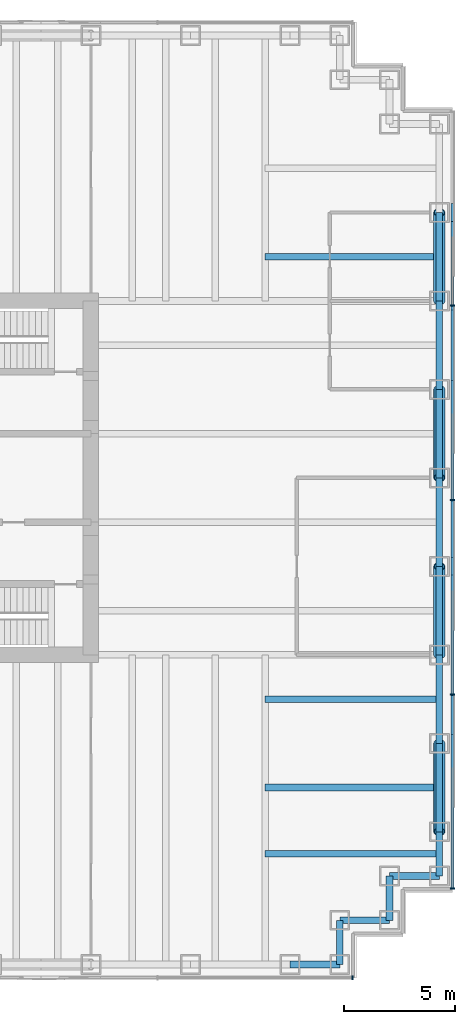
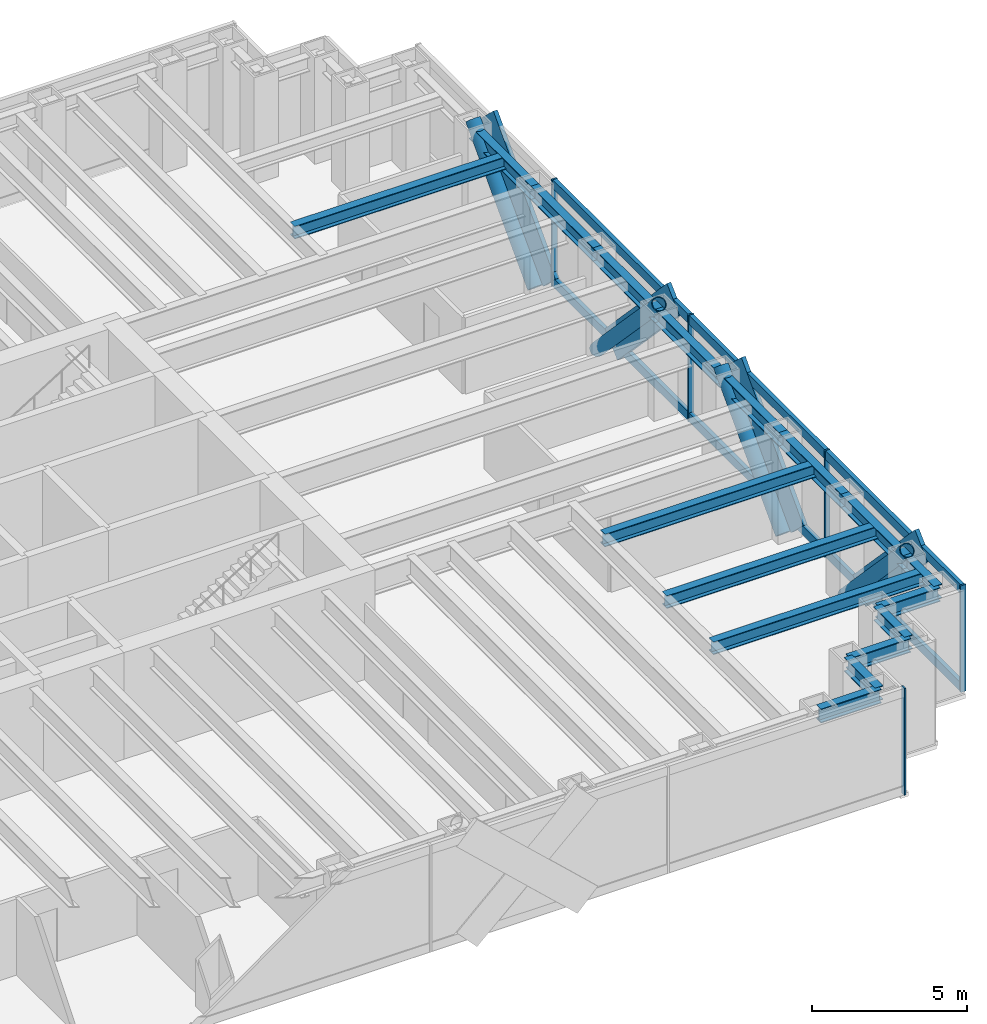
# One storey, part 8 of 17: 19 members, 17 beams, 2 elements without a shape of their own.
"""IFC4 building model written with IfcOpenShell, lengths in metres."""

from ifc_helpers import new_model, si_unit, direction, frame, origin, origin_2d, place, context, subcontext, project, spatial, rectangle, hollow_circle, i_section, extrude, material, material_profile, profile_set, type_object, element, aggregate, save


model = new_model("IFC4")

# Units and contexts
model_context = context("Model", 3, precision=1e-05, world=origin(), true_north=direction((0.0, 1.0)))
body_context = subcontext(model_context, "Body", "Model", "MODEL_VIEW")
ifc_project = project(units=[si_unit("LENGTHUNIT", "METRE"), si_unit("AREAUNIT", "SQUARE_METRE"), si_unit("VOLUMEUNIT", "CUBIC_METRE"), si_unit("PLANEANGLEUNIT", "RADIAN"), si_unit("MASSUNIT", "GRAM", prefix="KILO")], contexts=[model_context])

# Site, building, storey
site_placement = place(None, origin())
site = spatial("IfcSite", under=ifc_project, at=site_placement, CompositionType="ELEMENT")
building_placement = place(site_placement, origin())
building = spatial("IfcBuilding", under=site, at=building_placement, Name="Rheinbord Bourse Tower", CompositionType="ELEMENT")
storey_placement = place(building_placement, frame((0.0, 0.0, 287.89990234375)))
storey = spatial("IfcBuildingStorey", under=building, at=storey_placement, Name="L65", CompositionType="ELEMENT", Elevation=287.89990234375)

# Curtain wall, members
ifc_material_1 = material(Name="Dark glass and black aluminium", Category="aluminium")
curtain_wall_type = type_object("IfcCurtainWallType", Name="CW3 DARK GLASS CURTAIN WALL", PredefinedType="USERDEFINED", material=ifc_material_1)
curtain_wall_1_placement = place(storey_placement, origin())
curtain_wall_1 = element("IfcCurtainWall", 1, at=curtain_wall_1_placement, inside=storey, type_object=curtain_wall_type, Name="Curtain wall CW3 E L65", ObjectType="UNITISED CURTAIN WALL", PredefinedType="USERDEFINED")
ifc_material_2 = material(Name="Black anodised aluminium", Category="aluminium")
ifc_material_profile_1 = material_profile(ifc_material_2, rectangle(XDim=0.14990234375, YDim=1.10791015625, at=origin_2d()), Name="CW3 DIAGONAL MULLION 1108x150")
ifc_profile_set_1 = profile_set([ifc_material_profile_1], Name="Black anodised aluminium")
member_type_1 = type_object("IfcMemberType", Name="CW3 BLACK DIAGONAL MULLION", PredefinedType="USERDEFINED", material=ifc_profile_set_1)
member_1_placement = place(storey_placement, frame((70.35009765625, 28.0, 0.0), z_axis=(0.0, -0.689638355374, 0.72415394689), x_axis=(1.0, 0.0, 0.0)))
member_1 = element("IfcMember", 2, at=member_1_placement, type_object=member_type_1, Name="CW3 diagonal mullion a", ObjectType="DIAGONAL MULLION", PredefinedType="USERDEFINED", context=body_context, shape_type="SweptSolid", body=[
    extrude(rectangle(XDim=0.14990234375, YDim=1.10791015625, at=origin_2d()), origin(), (0.0, 0.0, 1.0), 5.800048828125),
])
member_2_placement = place(storey_placement, frame((70.35009765625, 16.0, 0.0), z_axis=(0.0, 0.689638355374, 0.72415394689), x_axis=(-1.0, 0.0, 0.0)))
member_2 = element("IfcMember", 3, at=member_2_placement, type_object=member_type_1, Name="CW3 diagonal mullion b", ObjectType="DIAGONAL MULLION", PredefinedType="USERDEFINED", context=body_context, shape_type="SweptSolid", body=[
    extrude(rectangle(XDim=0.14990234375, YDim=1.10791015625, at=origin_2d()), origin(), (0.0, 0.0, 1.0), 5.800048828125),
])
member_3_placement = place(storey_placement, frame((70.35009765625, 12.0, 0.0), z_axis=(0.0, -0.689638355374, 0.72415394689), x_axis=(1.0, 0.0, 0.0)))
member_3 = element("IfcMember", 4, at=member_3_placement, type_object=member_type_1, Name="CW3 diagonal mullion c", ObjectType="DIAGONAL MULLION", PredefinedType="USERDEFINED", context=body_context, shape_type="SweptSolid", body=[
    extrude(rectangle(XDim=0.14990234375, YDim=1.10791015625, at=origin_2d()), origin(), (0.0, 0.0, 1.0), 5.800048828125),
])
member_4_placement = place(storey_placement, frame((70.35009765625, 32.0, 0.0), z_axis=(0.0, 0.689638355374, 0.72415394689), x_axis=(-1.0, 0.0, 0.0)))
member_4 = element("IfcMember", 5, at=member_4_placement, type_object=member_type_1, Name="CW3 diagonal mullion d", ObjectType="DIAGONAL MULLION", PredefinedType="USERDEFINED", context=body_context, shape_type="SweptSolid", body=[
    extrude(rectangle(XDim=0.14990234375, YDim=1.10791015625, at=origin_2d()), origin(), (0.0, 0.0, 1.0), 5.800048828125),
])

# Curtain wall, member
curtain_wall_2_placement = place(storey_placement, origin())
curtain_wall_2 = element("IfcCurtainWall", 6, at=curtain_wall_2_placement, inside=storey, type_object=curtain_wall_type, Name="Curtain wall CW3 S L65", ObjectType="UNITISED CURTAIN WALL", PredefinedType="USERDEFINED")
ifc_material_3 = material(Name="Black anodised aluminium", Category="aluminium")
ifc_material_profile_2 = material_profile(ifc_material_3, rectangle(XDim=0.199951171875, YDim=0.06494140625, at=origin_2d()), Name="CW3 MULLION 65x200")
ifc_profile_set_2 = profile_set([ifc_material_profile_2], Name="Black anodised aluminium")
member_type_2 = type_object("IfcMemberType", Name="CW3 BLACK MULLION", PredefinedType="MULLION", material=ifc_profile_set_2)
member_5_placement = place(storey_placement, frame((65.8173828125, 1.39990234375, 0.0), z_axis=(0.0, 0.0, 1.0), x_axis=(0.0, 1.0, 0.0)))
member_5 = element("IfcMember", 7, at=member_5_placement, type_object=member_type_2, Name="CW3 mullion 8", PredefinedType="MULLION", context=body_context, shape_type="SweptSolid", body=[
    extrude(rectangle(XDim=0.199951171875, YDim=0.06494140625, at=origin_2d()), origin(), (0.0, 0.0, 1.0), 4.2001953125),
])
aggregate(curtain_wall_2, [member_5])

# Member
member_6_placement = place(storey_placement, frame((70.35009765625, 5.4326171875, 0.0), z_axis=(0.0, 0.0, 1.0), x_axis=(-1.0, 0.0, 0.0)))
member_6 = element("IfcMember", 8, at=member_6_placement, type_object=member_type_2, Name="CW3 mullion 1", PredefinedType="MULLION", context=body_context, shape_type="SweptSolid", body=[
    extrude(rectangle(XDim=0.199951171875, YDim=0.06494140625, at=origin_2d()), origin(), (0.0, 0.0, 1.0), 4.2001953125),
])

member_7_placement = place(storey_placement, frame((70.35009765625, 14.199951171875, 0.0), z_axis=(0.0, 0.0, 1.0), x_axis=(-1.0, 0.0, 0.0)))
member_7 = element("IfcMember", 9, at=member_7_placement, type_object=member_type_2, Name="CW3 mullion 2", PredefinedType="MULLION", context=body_context, shape_type="SweptSolid", body=[
    extrude(rectangle(XDim=0.199951171875, YDim=0.06494140625, at=origin_2d()), origin(), (0.0, 0.0, 1.0), 4.2001953125),
])

member_8_placement = place(storey_placement, frame((70.35009765625, 23.0, 0.0), z_axis=(0.0, 0.0, 1.0), x_axis=(-1.0, 0.0, 0.0)))
member_8 = element("IfcMember", 10, at=member_8_placement, type_object=member_type_2, Name="CW3 mullion 3", PredefinedType="MULLION", context=body_context, shape_type="SweptSolid", body=[
    extrude(rectangle(XDim=0.199951171875, YDim=0.06494140625, at=origin_2d()), origin(), (0.0, 0.0, 1.0), 4.2001953125),
])

member_9_placement = place(storey_placement, frame((70.35009765625, 31.800048828125, 0.0), z_axis=(0.0, 0.0, 1.0), x_axis=(-1.0, 0.0, 0.0)))
member_9 = element("IfcMember", 11, at=member_9_placement, type_object=member_type_2, Name="CW3 mullion 4", PredefinedType="MULLION", context=body_context, shape_type="SweptSolid", body=[
    extrude(rectangle(XDim=0.199951171875, YDim=0.06494140625, at=origin_2d()), origin(), (0.0, 0.0, 1.0), 4.2001953125),
])

ifc_material_4 = material(Name="Black anodised aluminium", Category="aluminium")
ifc_material_profile_3 = material_profile(ifc_material_4, rectangle(XDim=0.14990234375, YDim=0.35009765625, at=origin_2d()), Name="CW3 TRANSOM 350x150")
ifc_profile_set_3 = profile_set([ifc_material_profile_3], Name="Black anodised aluminium")
member_type_3 = type_object("IfcMemberType", Name="CW3 BLACK TRANSOM", PredefinedType="USERDEFINED", material=ifc_profile_set_3)
member_10_placement = place(storey_placement, frame((70.35009765625, 5.465087890625, 0.175048828125), z_axis=(0.0, 1.0, 0.0), x_axis=(-1.0, 0.0, 0.0)))
member_10 = element("IfcMember", 12, at=member_10_placement, type_object=member_type_3, Name="CW3 transom 1.1", ObjectType="TRANSOM", PredefinedType="USERDEFINED", context=body_context, shape_type="SweptSolid", body=[
    extrude(rectangle(XDim=0.14990234375, YDim=0.35009765625, at=origin_2d()), origin(), (0.0, 0.0, 1.0), 8.702392578125),
])

member_11_placement = place(storey_placement, frame((70.35009765625, 5.465087890625, 4.025146484375), z_axis=(0.0, 1.0, 0.0), x_axis=(-1.0, 0.0, 0.0)))
member_11 = element("IfcMember", 13, at=member_11_placement, type_object=member_type_3, Name="CW3 transom 1.2", ObjectType="TRANSOM", PredefinedType="USERDEFINED", context=body_context, shape_type="SweptSolid", body=[
    extrude(rectangle(XDim=0.14990234375, YDim=0.35009765625, at=origin_2d()), origin(), (0.0, 0.0, 1.0), 8.702392578125),
])

member_12_placement = place(storey_placement, frame((70.35009765625, 14.232421875, 0.175048828125), z_axis=(0.0, 1.0, 0.0), x_axis=(-1.0, 0.0, 0.0)))
member_12 = element("IfcMember", 14, at=member_12_placement, type_object=member_type_3, Name="CW3 transom 2.1", ObjectType="TRANSOM", PredefinedType="USERDEFINED", context=body_context, shape_type="SweptSolid", body=[
    extrude(rectangle(XDim=0.14990234375, YDim=0.35009765625, at=origin_2d()), origin(), (0.0, 0.0, 1.0), 8.735107421875),
])

member_13_placement = place(storey_placement, frame((70.35009765625, 14.232421875, 4.025146484375), z_axis=(0.0, 1.0, 0.0), x_axis=(-1.0, 0.0, 0.0)))
member_13 = element("IfcMember", 15, at=member_13_placement, type_object=member_type_3, Name="CW3 transom 2.2", ObjectType="TRANSOM", PredefinedType="USERDEFINED", context=body_context, shape_type="SweptSolid", body=[
    extrude(rectangle(XDim=0.14990234375, YDim=0.35009765625, at=origin_2d()), origin(), (0.0, 0.0, 1.0), 8.735107421875),
])

member_14_placement = place(storey_placement, frame((70.35009765625, 23.032470703125, 0.175048828125), z_axis=(0.0, 1.0, 0.0), x_axis=(-1.0, 0.0, 0.0)))
member_14 = element("IfcMember", 16, at=member_14_placement, type_object=member_type_3, Name="CW3 transom 3.1", ObjectType="TRANSOM", PredefinedType="USERDEFINED", context=body_context, shape_type="SweptSolid", body=[
    extrude(rectangle(XDim=0.14990234375, YDim=0.35009765625, at=origin_2d()), origin(), (0.0, 0.0, 1.0), 8.735107421875),
])

member_15_placement = place(storey_placement, frame((70.35009765625, 23.032470703125, 4.025146484375), z_axis=(0.0, 1.0, 0.0), x_axis=(-1.0, 0.0, 0.0)))
member_15 = element("IfcMember", 17, at=member_15_placement, type_object=member_type_3, Name="CW3 transom 3.2", ObjectType="TRANSOM", PredefinedType="USERDEFINED", context=body_context, shape_type="SweptSolid", body=[
    extrude(rectangle(XDim=0.14990234375, YDim=0.35009765625, at=origin_2d()), origin(), (0.0, 0.0, 1.0), 8.735107421875),
])

aggregate(curtain_wall_1, [member_6, member_7, member_8, member_9, member_10, member_11, member_12, member_13, member_14, member_15, member_1, member_2, member_3, member_4])

# Members
ifc_material_5 = material(Name="Steel S460", Category="steel")
ifc_material_profile_4 = material_profile(ifc_material_5, hollow_circle(Radius=0.25390625, WallThickness=0.030029296875, at=origin_2d()), Name="CHS 508x30")
ifc_profile_set_4 = profile_set([ifc_material_profile_4], Name="Steel S460")
member_type_4 = type_object("IfcMemberType", Name="MEGABRACE CHS 508x30", PredefinedType="BRACE", material=ifc_profile_set_4)
for number, where, z_axis, x_axis, name in (
    (18, (69.75, 28.0, 0.0), (0.0, -0.689638355374, 0.72415394689), (1.0, 0.0, 0.0), "Megabrace E face line a L65"),
    (19, (69.75, 16.0, 0.0), (0.0, 0.689638355374, 0.72415394689), (-1.0, 0.0, 0.0), "Megabrace E face line b L65"),
    (20, (69.75, 12.0, 0.0), (0.0, -0.689638355374, 0.72415394689), (1.0, 0.0, 0.0), "Megabrace E face line c L65"),
    (21, (69.75, 32.0, 0.0), (0.0, 0.689638355374, 0.72415394689), (-1.0, 0.0, 0.0), "Megabrace E face line d L65"),
):
    element("IfcMember", number, at=place(storey_placement, frame(where, z_axis=z_axis, x_axis=x_axis)), inside=storey, type_object=member_type_4, Name=name, PredefinedType="BRACE", context=body_context, shape_type="SweptSolid", body=[
        extrude(hollow_circle(Radius=0.25390625, WallThickness=0.030029296875, at=origin_2d()), origin(), (0.0, 0.0, 1.0), 5.800048828125),
    ])

# Beams
ifc_material_6 = material(Name="Steel S460", Category="steel")
ifc_material_profile_5 = material_profile(ifc_material_6, i_section(OverallWidth=0.300048828125, OverallDepth=0.550048828125, WebThickness=0.014892578125, FlangeThickness=0.029052734375, at=origin_2d()), Name="HEB 550")
ifc_profile_set_5 = profile_set([ifc_material_profile_5], Name="Steel S460")
beam_type_1 = type_object("IfcBeamType", Name="SPANDREL HEB 550", PredefinedType="SPANDREL", material=ifc_profile_set_5)
beam_1_placement = place(storey_placement, frame((63.0, 2.0, 3.76513671875), z_axis=(1.0, 0.0, 0.0), x_axis=(0.0, 1.0, 0.0)))
element("IfcBeam", 22, at=beam_1_placement, inside=storey, type_object=beam_type_1, Name="Spandrel S-63-SE-E under L66", PredefinedType="SPANDREL", context=body_context, shape_type="SweptSolid", body=[
    extrude(i_section(OverallWidth=0.300048828125, OverallDepth=0.550048828125, WebThickness=0.014892578125, FlangeThickness=0.029052734375, at=origin_2d()), origin(), (0.0, 0.0, 1.0), 2.25),
])
beam_2_placement = place(storey_placement, frame((65.25, 2.0, 3.76513671875), z_axis=(0.0, 1.0, 0.0), x_axis=(-1.0, 0.0, 0.0)))
element("IfcBeam", 23, at=beam_2_placement, inside=storey, type_object=beam_type_1, Name="Spandrel SE-E-SE-D under L66", PredefinedType="SPANDREL", context=body_context, shape_type="SweptSolid", body=[
    extrude(i_section(OverallWidth=0.300048828125, OverallDepth=0.550048828125, WebThickness=0.014892578125, FlangeThickness=0.029052734375, at=origin_2d()), origin(), (0.0, 0.0, 1.0), 2.0),
])
beam_3_placement = place(storey_placement, frame((65.25, 4.0, 3.76513671875), z_axis=(1.0, 0.0, 0.0), x_axis=(0.0, 1.0, 0.0)))
element("IfcBeam", 24, at=beam_3_placement, inside=storey, type_object=beam_type_1, Name="Spandrel SE-D-SE-C under L66", PredefinedType="SPANDREL", context=body_context, shape_type="SweptSolid", body=[
    extrude(i_section(OverallWidth=0.300048828125, OverallDepth=0.550048828125, WebThickness=0.014892578125, FlangeThickness=0.029052734375, at=origin_2d()), origin(), (0.0, 0.0, 1.0), 2.25),
])
beam_4_placement = place(storey_placement, frame((67.5, 4.0, 3.76513671875), z_axis=(0.0, 1.0, 0.0), x_axis=(-1.0, 0.0, 0.0)))
element("IfcBeam", 25, at=beam_4_placement, inside=storey, type_object=beam_type_1, Name="Spandrel SE-C-SE-B under L66", PredefinedType="SPANDREL", context=body_context, shape_type="SweptSolid", body=[
    extrude(i_section(OverallWidth=0.300048828125, OverallDepth=0.550048828125, WebThickness=0.014892578125, FlangeThickness=0.029052734375, at=origin_2d()), origin(), (0.0, 0.0, 1.0), 2.0),
])
beam_5_placement = place(storey_placement, frame((67.5, 6.0, 3.76513671875), z_axis=(1.0, 0.0, 0.0), x_axis=(0.0, 1.0, 0.0)))
element("IfcBeam", 26, at=beam_5_placement, inside=storey, type_object=beam_type_1, Name="Spandrel SE-B-SE-A under L66", PredefinedType="SPANDREL", context=body_context, shape_type="SweptSolid", body=[
    extrude(i_section(OverallWidth=0.300048828125, OverallDepth=0.550048828125, WebThickness=0.014892578125, FlangeThickness=0.029052734375, at=origin_2d()), origin(), (0.0, 0.0, 1.0), 2.25),
])
beam_6_placement = place(storey_placement, frame((69.75, 6.0, 3.76513671875), z_axis=(0.0, 1.0, 0.0), x_axis=(-1.0, 0.0, 0.0)))
element("IfcBeam", 27, at=beam_6_placement, inside=storey, type_object=beam_type_1, Name="Spandrel SE-A-E-8 under L66", PredefinedType="SPANDREL", context=body_context, shape_type="SweptSolid", body=[
    extrude(i_section(OverallWidth=0.300048828125, OverallDepth=0.550048828125, WebThickness=0.014892578125, FlangeThickness=0.029052734375, at=origin_2d()), origin(), (0.0, 0.0, 1.0), 2.0),
])
for number, where, z_axis, x_axis, name in (
    (28, (69.75, 8.0, 3.76513671875), (0.0, 1.0, 0.0), (-1.0, 0.0, 0.0), "Spandrel E-8-E-12 under L66"),
    (29, (69.75, 12.0, 3.76513671875), (0.0, 1.0, 0.0), (-1.0, 0.0, 0.0), "Spandrel E-12-E-16 under L66"),
    (30, (69.75, 16.0, 3.76513671875), (0.0, 1.0, 0.0), (-1.0, 0.0, 0.0), "Spandrel E-16-E-20 under L66"),
    (31, (69.75, 20.0, 3.76513671875), (0.0, 1.0, 0.0), (-1.0, 0.0, 0.0), "Spandrel E-20-E-24 under L66"),
    (32, (69.75, 24.0, 3.76513671875), (0.0, 1.0, 0.0), (-1.0, 0.0, 0.0), "Spandrel E-24-E-28 under L66"),
    (33, (69.75, 28.0, 3.76513671875), (0.0, 1.0, 0.0), (-1.0, 0.0, 0.0), "Spandrel E-28-E-32 under L66"),
    (34, (69.75, 32.0, 3.76513671875), (0.0, 1.0, 0.0), (-1.0, 0.0, 0.0), "Spandrel E-32-E-36 under L66"),
):
    element("IfcBeam", number, at=place(storey_placement, frame(where, z_axis=z_axis, x_axis=x_axis)), inside=storey, type_object=beam_type_1, Name=name, PredefinedType="SPANDREL", context=body_context, shape_type="SweptSolid", body=[
        extrude(i_section(OverallWidth=0.300048828125, OverallDepth=0.550048828125, WebThickness=0.014892578125, FlangeThickness=0.029052734375, at=origin_2d()), origin(), (0.0, 0.0, 1.0), 4.0),
    ])
ifc_material_7 = material(Name="Steel S460", Category="steel")
ifc_material_profile_6 = material_profile(ifc_material_7, i_section(OverallWidth=0.300048828125, OverallDepth=0.5, WebThickness=0.014404296875, FlangeThickness=0.028076171875, at=origin_2d()), Name="HEB 500")
ifc_profile_set_6 = profile_set([ifc_material_profile_6], Name="Steel S460")
beam_type_2 = type_object("IfcBeamType", Name="TIE BEAM HEB 500", PredefinedType="JOIST", material=ifc_profile_set_6)
for number, where, z_axis, x_axis, name in (
    (35, (61.875, 7.0, 3.7900390625), (1.0, 0.0, 0.0), (0.0, 1.0, 0.0), "Tie east 7 L66"),
    (36, (61.875, 10.0, 3.7900390625), (1.0, 0.0, 0.0), (0.0, 1.0, 0.0), "Tie east 10 L66"),
    (37, (61.875, 14.0, 3.7900390625), (1.0, 0.0, 0.0), (0.0, 1.0, 0.0), "Tie east 14 L66"),
    (38, (61.875, 34.0, 3.7900390625), (1.0, 0.0, 0.0), (0.0, 1.0, 0.0), "Tie east 34 L66"),
):
    element("IfcBeam", number, at=place(storey_placement, frame(where, z_axis=z_axis, x_axis=x_axis)), inside=storey, type_object=beam_type_2, Name=name, PredefinedType="JOIST", context=body_context, shape_type="SweptSolid", body=[
        extrude(i_section(OverallWidth=0.300048828125, OverallDepth=0.5, WebThickness=0.014404296875, FlangeThickness=0.028076171875, at=origin_2d()), origin(), (0.0, 0.0, 1.0), 7.875),
    ])

save(model, "model.ifc")
